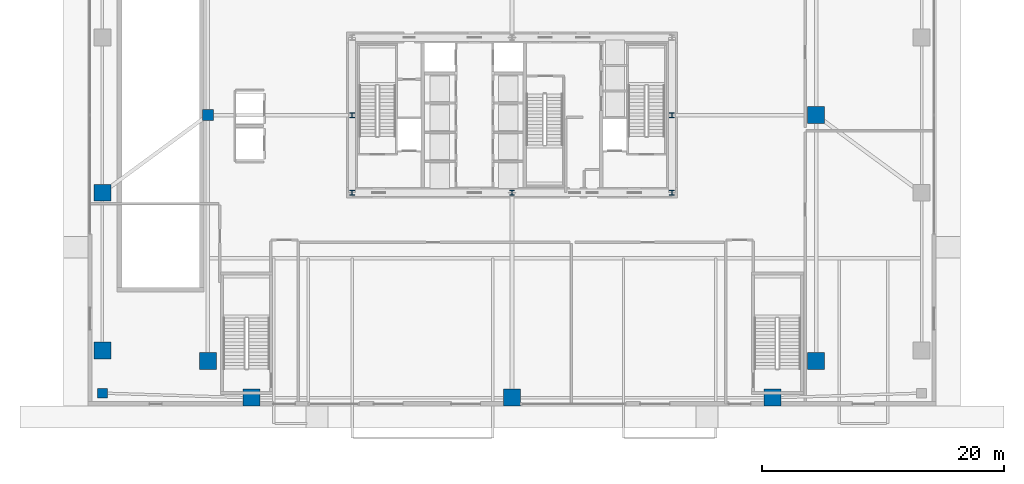
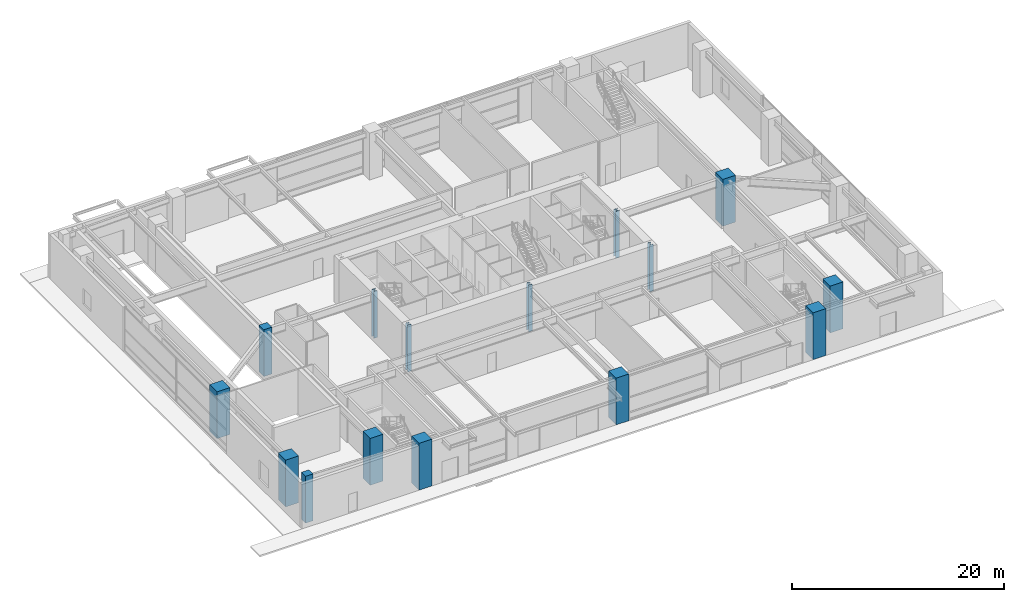
# One storey, part 1 of 32: 15 columns.
"""IFC4 building model written with IfcOpenShell, lengths in metres."""

import ifcopenshell
import ifcopenshell.guid

model = None  # the IFC model being written
_history = None  # IfcOwnerHistory: only IFC2X3 demands one
_inside = {}  # id of a spatial element -> (the spatial element, [elements in it])
_under = {}  # id of a project, library or spatial element -> (it, [spatial elements below it])
_declared = {}  # id of a project -> (the project, [libraries it declares])
_typed = {}  # id of a type object -> (the type object, [elements of that type])
_made_of = {}  # id of a material, layer set ... -> (it, [elements and type objects made of it])


def new_model(schema):
    """Start an empty IFC model of exactly this schema.

    Asked for "IFC4X3", IfcOpenShell would pick the latest addendum, in which some entities
    have other attributes; the version numbers below select the first issue.
    IFC2X3 requires an IfcOwnerHistory on every rooted entity: one is made here for all.
    """
    global model, _history
    if schema == "IFC4X3":
        model = ifcopenshell.file(schema_version=(4, 3, 0, 0))
    else:
        model = ifcopenshell.file(schema=schema)
    _inside.clear()
    _under.clear()
    _declared.clear()
    _typed.clear()
    _made_of.clear()
    _history = None
    if model.schema == "IFC2X3":
        org = make("IfcOrganization", Name="unknown")
        user = make(
            "IfcPersonAndOrganization",
            ThePerson=make("IfcPerson", FamilyName="unknown"),
            TheOrganization=org,
        )
        app = make(
            "IfcApplication",
            ApplicationDeveloper=org,
            Version="unknown",
            ApplicationFullName="unknown",
            ApplicationIdentifier="unknown",
        )
        _history = make(
            "IfcOwnerHistory",
            OwningUser=user,
            OwningApplication=app,
            ChangeAction="ADDED",
            CreationDate=0,
        )
    return model


def make(cls, **values):
    """One entity of the class cls with the attributes given. An attribute that is None is left unset."""
    return model.create_entity(
        cls, **{name: value for name, value in values.items() if value is not None}
    )


def rooted(cls, **values):
    """An entity with a GlobalId (a new one), such as an element, a storey or a relation."""
    return make(cls, GlobalId=ifcopenshell.guid.new(), OwnerHistory=_history, **values)


def si_unit(unit_type, name, prefix=None):
    """IfcSIUnit, for example si_unit("LENGTHUNIT", "METRE", prefix="MILLI")."""
    return make("IfcSIUnit", UnitType=unit_type, Prefix=prefix, Name=name)


def assignment(units):
    """IfcUnitAssignment: the units of a project."""
    return None if units is None else make("IfcUnitAssignment", Units=units)


def point(xyz):
    """IfcCartesianPoint."""
    return None if xyz is None else make("IfcCartesianPoint", Coordinates=xyz)


def direction(xyz):
    """IfcDirection."""
    return None if xyz is None else make("IfcDirection", DirectionRatios=xyz)


def frame(location, z_axis=None, x_axis=None):
    """IfcAxis2Placement3D, a coordinate frame: its origin and axes. An axis left out is left unset."""
    return make(
        "IfcAxis2Placement3D",
        Location=point(location),
        Axis=direction(z_axis),
        RefDirection=direction(x_axis),
    )


def frame_2d(location, x_axis=None):
    """IfcAxis2Placement2D, a coordinate frame in the plane: its origin and x axis."""
    return make(
        "IfcAxis2Placement2D", Location=point(location), RefDirection=direction(x_axis)
    )


def origin():
    """The frame at (0, 0, 0) with its axes left unset."""
    return frame((0.0, 0.0, 0.0))


def origin_2d():
    """The frame at (0, 0) in the plane with its x axis left unset."""
    return frame_2d((0.0, 0.0))


def place(relative_to, where):
    """IfcLocalPlacement: puts the frame where relative to a parent placement (None: the world)."""
    return make(
        "IfcLocalPlacement", PlacementRelTo=relative_to, RelativePlacement=where
    )


def context(
    kind, dimensions, precision=None, world=None, true_north=None, identifier=None
):
    """IfcGeometricRepresentationContext, for example the 3D "Model" context."""
    return make(
        "IfcGeometricRepresentationContext",
        ContextIdentifier=identifier,
        ContextType=kind,
        CoordinateSpaceDimension=dimensions,
        Precision=precision,
        WorldCoordinateSystem=world,
        TrueNorth=true_north,
    )


def subcontext(parent, identifier, kind, view, scale=None):
    """IfcGeometricRepresentationSubContext, for example "Body" below "Model"."""
    return make(
        "IfcGeometricRepresentationSubContext",
        ContextIdentifier=identifier,
        ContextType=kind,
        ParentContext=parent,
        TargetScale=scale,
        TargetView=view,
    )


def project(units=None, contexts=None):
    """IfcProject with its units and contexts."""
    return rooted(
        "IfcProject",
        Name="project",
        RepresentationContexts=contexts,
        UnitsInContext=assignment(units),
    )


def spatial(cls, under=None, at=None, **own):
    """A site, building, storey or space (cls), placed at a placement, below another one or the project."""
    s = rooted(cls, ObjectPlacement=at, **own)
    if under is not None:
        _under.setdefault(under.id(), (under, []))[1].append(s)
    return s


def profile(cls, at=None, kind="AREA", **sizes):
    """A parametric profile (cls). Its sizes go by their IFC names, for example OverallWidth=200.0."""
    return make(cls, ProfileType=kind, Position=at, **sizes)


def rectangle(**sizes):
    """IfcRectangleProfileDef."""
    return profile("IfcRectangleProfileDef", **sizes)


def i_section(**sizes):
    """IfcIShapeProfileDef."""
    return profile("IfcIShapeProfileDef", **sizes)


def extrude(swept, where, along, depth):
    """IfcExtrudedAreaSolid: the profile swept, set in the frame where, extruded along a direction by depth."""
    return make(
        "IfcExtrudedAreaSolid",
        SweptArea=swept,
        Position=where,
        ExtrudedDirection=direction(along),
        Depth=depth,
    )


def shape(context_of_items, identifier, shape_type, items):
    """IfcShapeRepresentation: the items that make up one representation, for example the "Body"."""
    return make(
        "IfcShapeRepresentation",
        ContextOfItems=context_of_items,
        RepresentationIdentifier=identifier,
        RepresentationType=shape_type,
        Items=items,
    )


def source(mapping_origin, context_of_items, identifier, shape_type, items):
    """IfcRepresentationMap: a shape defined once, which mapped items show again and again."""
    return make(
        "IfcRepresentationMap",
        MappingOrigin=mapping_origin,
        MappedRepresentation=shape(context_of_items, identifier, shape_type, items),
    )


def transform(
    local_origin,
    x_axis=None,
    y_axis=None,
    z_axis=None,
    scale=None,
    scale2=None,
    scale3=None,
    uniform=True,
):
    """IfcCartesianTransformationOperator3D, or its non-uniform kind. x_axis, y_axis, z_axis: its Axis1, 2, 3."""
    if uniform:
        return make(
            "IfcCartesianTransformationOperator3D",
            Axis1=direction(x_axis),
            Axis2=direction(y_axis),
            LocalOrigin=point(local_origin),
            Scale=scale,
            Axis3=direction(z_axis),
        )
    return make(
        "IfcCartesianTransformationOperator3DnonUniform",
        Axis1=direction(x_axis),
        Axis2=direction(y_axis),
        LocalOrigin=point(local_origin),
        Scale=scale,
        Axis3=direction(z_axis),
        Scale2=scale2,
        Scale3=scale3,
    )


def mapped(mapping_source, mapping_target):
    """IfcMappedItem: shows the shape of a source again, moved by a transform."""
    return make(
        "IfcMappedItem", MappingSource=mapping_source, MappingTarget=mapping_target
    )


def material(Name=None, Category=None):
    """IfcMaterial."""
    return make("IfcMaterial", Name=Name, Category=Category)


def material_profile(
    of_material, cross_section, Name=None, Category=None, Priority=None
):
    """IfcMaterialProfile: a cross section and its material."""
    return make(
        "IfcMaterialProfile",
        Name=Name,
        Material=of_material,
        Profile=cross_section,
        Priority=Priority,
        Category=Category,
    )


def profile_set(profiles, Name=None, composite=None):
    """IfcMaterialProfileSet."""
    return make(
        "IfcMaterialProfileSet",
        Name=Name,
        MaterialProfiles=profiles,
        CompositeProfile=composite,
    )


def made_of(thing, what):
    """Note that an element or type object is made of a material, layer set ...; save() writes the relation."""
    if what is not None:
        _made_of.setdefault(what.id(), (what, []))[1].append(thing)
    return thing


def type_object(cls, material=None, **own):
    """A type object (cls), such as IfcWallType, which elements share."""
    return made_of(rooted(cls, **own), material)


def element(
    cls,
    number,
    at=None,
    inside=None,
    cuts=None,
    type_object=None,
    material=None,
    context=None,
    identifier="Body",
    shape_type=None,
    held_by="IfcProductDefinitionShape",
    body=None,
    shapes=None,
    **own,
):
    """One element of the class cls, such as IfcWall. Its Tag is "e" and its number.

    at: its placement. inside: the storey or other place that contains it. cuts: it is an
    opening in that element (IfcRelVoidsElement). A single representation is given by context,
    identifier, shape_type and body (its items); several are given by shapes. held_by: the class
    of the entity that holds the representations. save() writes the other relations.
    """
    e = rooted(cls, Tag="e%d" % number, ObjectPlacement=at, **own)
    if body is not None:
        shapes = [shape(context, identifier, shape_type, body)]
    if shapes is not None:
        e.Representation = make(held_by, Representations=shapes)
    if inside is not None:
        _inside.setdefault(inside.id(), (inside, []))[1].append(e)
    if cuts is not None:
        rooted(
            "IfcRelVoidsElement", RelatingBuildingElement=cuts, RelatedOpeningElement=e
        )
    if type_object is not None:
        _typed.setdefault(type_object.id(), (type_object, []))[1].append(e)
    return made_of(e, material)


def aggregate(whole, parts):
    """IfcRelAggregates: a whole, such as a stair, and the parts it consists of."""
    return rooted("IfcRelAggregates", RelatingObject=whole, RelatedObjects=parts)


def save(model, path):
    """Write the relations noted so far, then the file.

    IfcRelAggregates (storeys below a building ...), IfcRelContainedInSpatialStructure (elements
    in a storey), IfcRelDefinesByType, IfcRelAssociatesMaterial and IfcRelDeclares: one each for
    every whole, place, type object, material and project.
    """
    for whole, parts in _under.values():
        aggregate(whole, parts)
    for where, things in _inside.values():
        rooted(
            "IfcRelContainedInSpatialStructure",
            RelatedElements=things,
            RelatingStructure=where,
        )
    for kind, things in _typed.values():
        rooted("IfcRelDefinesByType", RelatedObjects=things, RelatingType=kind)
    for what, things in _made_of.values():
        rooted("IfcRelAssociatesMaterial", RelatedObjects=things, RelatingMaterial=what)
    for by, libraries in _declared.values():
        rooted("IfcRelDeclares", RelatingContext=by, RelatedDefinitions=libraries)
    model.write(path)


model = new_model("IFC4")

# Units and contexts
model_context = context("Model", 3, precision=1e-05, world=origin(), true_north=direction((0.0, 1.0)))
body_context = subcontext(model_context, "Body", "Model", "MODEL_VIEW")
ifc_project = project(units=[si_unit("LENGTHUNIT", "METRE"), si_unit("AREAUNIT", "SQUARE_METRE"), si_unit("VOLUMEUNIT", "CUBIC_METRE"), si_unit("PLANEANGLEUNIT", "RADIAN"), si_unit("MASSUNIT", "GRAM", prefix="KILO"), si_unit("THERMODYNAMICTEMPERATUREUNIT", "KELVIN"), si_unit("POWERUNIT", "WATT")], contexts=[model_context])

# Site, building, storey
site_placement = place(None, origin())
site = spatial("IfcSite", under=ifc_project, at=site_placement, CompositionType="ELEMENT")
building_placement = place(site_placement, origin())
building = spatial("IfcBuilding", under=site, at=building_placement, Name="Yuzanri Waterfront Tower", CompositionType="ELEMENT")
storey_placement = place(building_placement, origin())
storey = spatial("IfcBuildingStorey", under=building, at=storey_placement, Name="L01", CompositionType="ELEMENT", Elevation=0.0)

# Columns
ifc_material_1 = material(Name="Steel Q355B", Category="steel")
ifc_material_profile_1 = material_profile(ifc_material_1, i_section(OverallWidth=0.406982421875, OverallDepth=0.427978515625, WebThickness=0.02001953125, FlangeThickness=0.034912109375, at=origin_2d()), Name="HW 428x407x20x35")
ifc_profile_set_1 = profile_set([ifc_material_profile_1], Name="Steel Q355B")
column_type_1 = type_object("IfcColumnType", Name="Core Post Q355B HW 428x407x20x35", PredefinedType="COLUMN", material=ifc_profile_set_1)
shared_shape_1 = source(origin(), body_context, "Body", "SweptSolid", [
    extrude(i_section(OverallWidth=0.406982421875, OverallDepth=0.427978515625, WebThickness=0.02001953125, FlangeThickness=0.034912109375, at=origin_2d()), origin(), (0.0, 0.0, 1.0), 5.39990234375),
])
for number, where, z_axis, x_axis, name in (
    (1, (23.800048828125, 19.39990234375, 0.0), (0.0, 0.0, 1.0), (1.0, 0.0, 0.0), "L01 Core Boundary Column CP1"),
    (2, (37.0, 19.39990234375, 0.0), (0.0, 0.0, 1.0), (1.0, 0.0, 0.0), "L01 Core Boundary Column CP2"),
    (3, (50.199951171875, 19.39990234375, 0.0), (0.0, 0.0, 1.0), (1.0, 0.0, 0.0), "L01 Core Boundary Column CP3"),
    (4, (23.800048828125, 25.800048828125, 0.0), (0.0, 0.0, 1.0), (1.0, 0.0, 0.0), "L01 Core Boundary Column CP4"),
    (5, (50.199951171875, 25.800048828125, 0.0), (0.0, 0.0, 1.0), (1.0, 0.0, 0.0), "L01 Core Boundary Column CP5"),
):
    element("IfcColumn", number, at=place(storey_placement, frame(where, z_axis=z_axis, x_axis=x_axis)), inside=storey, type_object=column_type_1, Name=name, PredefinedType="COLUMN", context=body_context, shape_type="MappedRepresentation", body=[
        mapped(shared_shape_1, transform((0.0, 0.0, 0.0), scale=1.0)),
    ])
ifc_material_2 = material(Name="Concrete C50", Category="concrete")
ifc_material_profile_2 = material_profile(ifc_material_2, rectangle(XDim=0.800048828125, YDim=0.800048828125, at=origin_2d()), Name="RC 800x800")
ifc_profile_set_2 = profile_set([ifc_material_profile_2], Name="Concrete C50")
column_type_2 = type_object("IfcColumnType", Name="Upper Podium RC Column C50 800x800", PredefinedType="COLUMN", material=ifc_profile_set_2)
shared_shape_2 = source(origin(), body_context, "Body", "SweptSolid", [
    extrude(rectangle(XDim=0.800048828125, YDim=0.800048828125, at=origin_2d()), origin(), (0.0, 0.0, 1.0), 5.39990234375),
])
column_1_placement = place(storey_placement, frame((3.199951171875, 2.85009765625, 0.0), z_axis=(0.0, 0.0, 1.0), x_axis=(1.0, 0.0, 0.0)))
element("IfcColumn", 6, at=column_1_placement, inside=storey, type_object=column_type_2, Name="L01 Podium Corner Column CNPSW", PredefinedType="COLUMN", context=body_context, shape_type="MappedRepresentation", body=[
    mapped(shared_shape_2, transform((0.0, 0.0, 0.0), scale=1.0)),
])
ifc_material_3 = material(Name="Concrete C60", Category="concrete")
ifc_material_profile_3 = material_profile(ifc_material_3, rectangle(XDim=1.39990234375, YDim=1.39990234375, at=origin_2d()), Name="RC 1400x1400")
ifc_profile_set_3 = profile_set([ifc_material_profile_3], Name="Concrete C60")
column_type_3 = type_object("IfcColumnType", Name="Podium RC Column C60 1400x1400", PredefinedType="COLUMN", material=ifc_profile_set_3)
shared_shape_3 = source(origin(), body_context, "Body", "SweptSolid", [
    extrude(rectangle(XDim=1.39990234375, YDim=1.39990234375, at=origin_2d()), origin(), (0.0, 0.0, 1.0), 5.39990234375),
])
for number, where, z_axis, x_axis, name in (
    (7, (3.199951171875, 6.39990234375, 0.0), (0.0, 0.0, 1.0), (1.0, 0.0, 0.0), "L01 Podium Column PW1"),
    (8, (3.199951171875, 19.39990234375, 0.0), (0.0, 0.0, 1.0), (1.0, 0.0, 0.0), "L01 Podium Column PW2"),
    (9, (11.89990234375, 5.5, 0.0), (0.0, 0.0, 1.0), (1.0, 0.0, 0.0), "L01 Podium Column PTW1"),
    (10, (62.10009765625, 5.5, 0.0), (0.0, 0.0, 1.0), (1.0, 0.0, 0.0), "L01 Podium Column PTE1"),
    (11, (62.10009765625, 25.800048828125, 0.0), (0.0, 0.0, 1.0), (1.0, 0.0, 0.0), "L01 Podium Column PTE2"),
    (12, (15.5, 2.5, 0.0), (0.0, 0.0, 1.0), (1.0, 0.0, 0.0), "L01 Podium Column PTS1"),
    (13, (37.0, 2.5, 0.0), (0.0, 0.0, 1.0), (1.0, 0.0, 0.0), "L01 Podium Column PTS2"),
    (14, (58.5, 2.5, 0.0), (0.0, 0.0, 1.0), (1.0, 0.0, 0.0), "L01 Podium Column PTS3"),
):
    element("IfcColumn", number, at=place(storey_placement, frame(where, z_axis=z_axis, x_axis=x_axis)), inside=storey, type_object=column_type_3, Name=name, PredefinedType="COLUMN", context=body_context, shape_type="MappedRepresentation", body=[
        mapped(shared_shape_3, transform((0.0, 0.0, 0.0), scale=1.0)),
    ])
ifc_material_4 = material(Name="Concrete C50", Category="concrete")
ifc_material_profile_4 = material_profile(ifc_material_4, rectangle(XDim=0.89990234375, YDim=0.89990234375, at=origin_2d()), Name="RC 900x900")
ifc_profile_set_4 = profile_set([ifc_material_profile_4], Name="Concrete C50")
column_type_4 = type_object("IfcColumnType", Name="Basement RC Column C50 900x900", PredefinedType="COLUMN", material=ifc_profile_set_4)
shared_shape_4 = source(origin(), body_context, "Body", "SweptSolid", [
    extrude(rectangle(XDim=0.89990234375, YDim=0.89990234375, at=origin_2d()), origin(), (0.0, 0.0, 1.0), 5.39990234375),
])
column_2_placement = place(storey_placement, frame((11.89990234375, 25.800048828125, 0.0), z_axis=(0.0, 0.0, 1.0), x_axis=(1.0, 0.0, 0.0)))
element("IfcColumn", 15, at=column_2_placement, inside=storey, type_object=column_type_4, Name="L01 Podium Ballroom-Under Column PTW2", PredefinedType="COLUMN", context=body_context, shape_type="MappedRepresentation", body=[
    mapped(shared_shape_4, transform((0.0, 0.0, 0.0), scale=1.0)),
])

save(model, "model.ifc")
